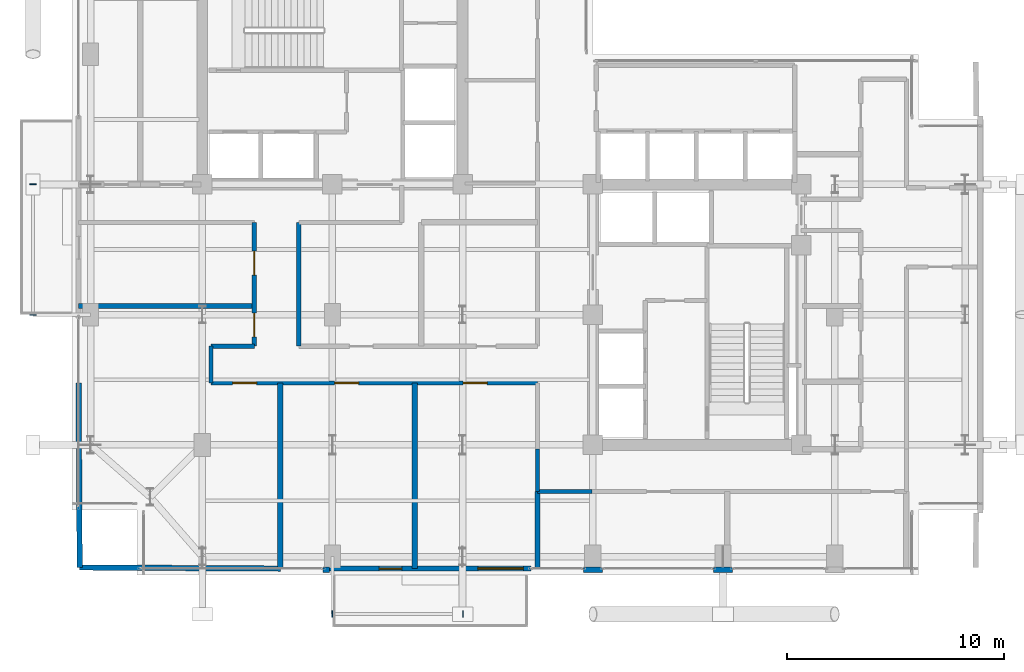
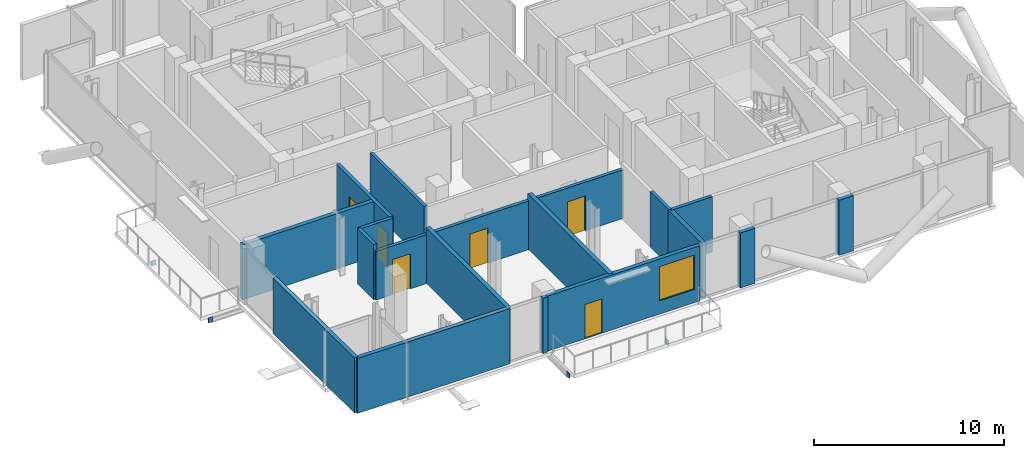
# One storey, part 16 of 21: 17 walls, 6 doors, 4 plates, 1 window, 7 openings.
"""IFC4 building model written with IfcOpenShell, lengths in metres."""

from ifc_helpers import new_model, si_unit, direction, frame, frame_2d, origin, origin_2d, place, context, subcontext, project, spatial, rectangle, extrude, material, layer, layer_set, type_object, element, fill, save


model = new_model("IFC4")

# Units and contexts
model_context = context("Model", 3, precision=1e-05, world=origin(), true_north=direction((0.0, 1.0)))
body_context = subcontext(model_context, "Body", "Model", "MODEL_VIEW")
ifc_project = project(units=[si_unit("LENGTHUNIT", "METRE"), si_unit("AREAUNIT", "SQUARE_METRE"), si_unit("VOLUMEUNIT", "CUBIC_METRE"), si_unit("PLANEANGLEUNIT", "RADIAN"), si_unit("MASSUNIT", "GRAM", prefix="KILO"), si_unit("THERMODYNAMICTEMPERATUREUNIT", "KELVIN"), si_unit("POWERUNIT", "WATT")], contexts=[model_context])

# Site, building, storey
site_placement = place(None, origin())
site = spatial("IfcSite", under=ifc_project, at=site_placement, CompositionType="ELEMENT")
building_placement = place(site_placement, origin())
building = spatial("IfcBuilding", under=site, at=building_placement, Name="Svarakhadi Broadcast Tower", CompositionType="ELEMENT")
storey_placement = place(building_placement, frame((0.0, 0.0, 187.949951171875)))
storey = spatial("IfcBuildingStorey", under=building, at=storey_placement, Name="L46", CompositionType="ELEMENT", Elevation=187.949951171875)

# Plates
ifc_material_1 = material(Name="Steel S460ML (IS 2062 E450BR)", Category="steel")
ifc_layer_1 = layer(ifc_material_1, 0.028076171875)
ifc_layer_set_1 = layer_set([ifc_layer_1], Name="Steel S460ML (IS 2062 E450BR)")
plate_type = type_object("IfcPlateType", Name="Cap_Plate_CP02", PredefinedType="USERDEFINED", material=ifc_layer_set_1)
for number, where, z_axis, x_axis, name in (
    (1, (11.985107421875, -1.800048828125, -0.5048828125), (0.0, 0.0, 1.0), (1.0, 0.0, 0.0), "L46 Balcony Spandrel End Cap Plate 1F-A"),
    (2, (18.014892578125, -1.800048828125, -0.5048828125), (0.0, 0.0, 1.0), (1.0, 0.0, 0.0), "L46 Balcony Spandrel End Cap Plate 1F-B"),
):
    element("IfcPlate", number, at=place(storey_placement, frame(where, z_axis=z_axis, x_axis=x_axis)), inside=storey, type_object=plate_type, Name=name, ObjectType="FLANGE_PLATE", PredefinedType="USERDEFINED", context=body_context, shape_type="SweptSolid", body=[
        extrude(rectangle(XDim=0.0400390625, YDim=0.300048828125, at=origin_2d()), origin(), (0.0, 0.0, 1.0), 0.31005859375),
    ])
for number, where, z_axis, x_axis, name in (
    (3, (-1.800048828125, 11.985107421875, -0.5048828125), (0.0, 0.0, 1.0), (1.0, 0.0, 0.0), "L46 Balcony Spandrel End Cap Plate 2F-A"),
    (4, (-1.800048828125, 18.014892578125, -0.5048828125), (0.0, 0.0, 1.0), (1.0, 0.0, 0.0), "L46 Balcony Spandrel End Cap Plate 2F-B"),
):
    element("IfcPlate", number, at=place(storey_placement, frame(where, z_axis=z_axis, x_axis=x_axis)), inside=storey, type_object=plate_type, Name=name, ObjectType="FLANGE_PLATE", PredefinedType="USERDEFINED", context=body_context, shape_type="SweptSolid", body=[
        extrude(rectangle(XDim=0.300048828125, YDim=0.0400390625, at=origin_2d()), origin(), (0.0, 0.0, 1.0), 0.31005859375),
    ])

# Walls
ifc_material_2 = material(Name="Double-Stud Acoustic Studio Partition STC-62", Category="gypsum")
ifc_layer_2 = layer(ifc_material_2, 0.25)
ifc_layer_set_2 = layer_set([ifc_layer_2], Name="Double-Stud Acoustic Studio Partition STC-62")
wall_type_1 = type_object("IfcWallType", Name="Wall_Acoust_250", PredefinedType="PARTITIONING", material=ifc_layer_set_2)
wall_1_placement = place(storey_placement, frame((21.449951171875, 0.300048828125, 0.0), z_axis=(0.0, 0.0, 1.0), x_axis=(0.0, 1.0, 0.0)))
element("IfcWall", 5, at=wall_1_placement, inside=storey, type_object=wall_type_1, Name="L46 Hotel Business Centre Office Wall", PredefinedType="PARTITIONING", context=body_context, shape_type="SweptSolid", body=[
    extrude(rectangle(XDim=3.550048828125, YDim=0.25, at=frame_2d((1.77490234375, 0.0))), origin(), (0.0, 0.0, 1.0), 3.5400390625),
])
wall_2_placement = place(storey_placement, frame((0.35009765625, 0.35009765625, 0.0), z_axis=(0.0, 0.0, 1.0), x_axis=(0.99998536257, -0.005410604923, 0.0)))
element("IfcWall", 6, at=wall_2_placement, inside=storey, type_object=wall_type_1, Name="L46 Grand Diplomatic Banquet Dining Hall Wall", PredefinedType="PARTITIONING", context=body_context, shape_type="SweptSolid", body=[
    extrude(rectangle(XDim=9.250244140625, YDim=0.25, at=frame_2d((4.625, 0.0))), origin(), (0.0, 0.0, 1.0), 3.5400390625),
])
wall_3_placement = place(storey_placement, frame((0.35009765625, 0.35009765625, 0.0), z_axis=(0.0, 0.0, 1.0), x_axis=(-0.00588799536, 0.999982665605, 0.0)))
element("IfcWall", 7, at=wall_3_placement, inside=storey, type_object=wall_type_1, Name="L46 Grand Diplomatic Banquet Dining Hall Wall", PredefinedType="PARTITIONING", context=body_context, shape_type="SweptSolid", body=[
    extrude(rectangle(XDim=8.500244140625, YDim=0.25, at=frame_2d((4.25, 0.0))), origin(), (0.0, 0.0, 1.0), 3.5400390625),
])
for number, where, z_axis, x_axis, name in (
    (8, (9.60009765625, 0.300048828125, 0.0), (0.0, 0.0, 1.0), (0.0, 1.0, 0.0), "L46 Grand Diplomatic Banquet Dining Hall Wall"),
    (9, (15.800048828125, 0.300048828125, 0.0), (0.0, 0.0, 1.0), (0.0, 1.0, 0.0), "L46 Hotel Diplomatic Boardroom Wall"),
):
    element("IfcWall", number, at=place(storey_placement, frame(where, z_axis=z_axis, x_axis=x_axis)), inside=storey, type_object=wall_type_1, Name=name, PredefinedType="PARTITIONING", context=body_context, shape_type="SweptSolid", body=[
        extrude(rectangle(XDim=8.550048828125, YDim=0.25, at=frame_2d((4.27490234375, 0.0))), origin(), (0.0, 0.0, 1.0), 3.5400390625),
    ])
wall_4_placement = place(storey_placement, frame((0.300048828125, 12.39990234375, 0.0), z_axis=(0.0, 0.0, 1.0), x_axis=(1.0, 0.0, 0.0)))
element("IfcWall", 10, at=wall_4_placement, inside=storey, type_object=wall_type_1, Name="L46 Club Floor Pantry Kitchen Wall", PredefinedType="PARTITIONING", context=body_context, shape_type="SweptSolid", body=[
    extrude(rectangle(XDim=8.099853515625, YDim=0.25, at=frame_2d((4.0498046875, 0.0))), origin(), (0.0, 0.0, 1.0), 3.5400390625),
])

# Wall, openings, door, window
ifc_material_3 = material(Name="Concrete C40/50 (IS 456 M50)", Category="concrete")
ifc_layer_3 = layer(ifc_material_3, 0.239990234375)
ifc_layer_set_3 = layer_set([ifc_layer_3], Name="Concrete C40/50 (IS 456 M50)")
wall_type_2 = type_object("IfcWallType", Name="Wall_Ext_240", PredefinedType="SOLIDWALL", material=ifc_layer_set_3)
wall_5_placement = place(storey_placement, frame((21.14501953125, 0.300048828125, 0.0), z_axis=(0.0, 0.0, 1.0), x_axis=(-1.0, 0.0, 0.0)))
wall_5 = element("IfcWall", 11, at=wall_5_placement, inside=storey, type_object=wall_type_2, Name="L46 South Tree Balcony Spandrel Wall", PredefinedType="SOLIDWALL", context=body_context, shape_type="SweptSolid", body=[
    extrude(rectangle(XDim=9.2900390625, YDim=0.239990234375, at=frame_2d((4.64501953125, 0.0))), origin(), (0.0, 0.0, 1.0), 3.5400390625),
])
opening_1_placement = place(wall_5_placement, frame((5.949951171875, 0.0, 0.0)))
opening_1 = element("IfcOpeningElement", 12, at=opening_1_placement, cuts=wall_5, Name="Opening ED-06", PredefinedType="OPENING", context=body_context, shape_type="SweptSolid", body=[
    extrude(rectangle(XDim=1.050048828125, YDim=2.199951171875, at=frame_2d((0.52490234375, 1.10009765625))), frame((0.0, 0.1298828125, 0.0), z_axis=(0.0, -1.0, 0.0), x_axis=(1.0, 0.0, 0.0)), (0.0, 0.0, 1.0), 0.260009765625),
])
opening_2_placement = place(wall_5_placement, frame((0.35009765625, 0.0, 0.85009765625)))
opening_2 = element("IfcOpeningElement", 13, at=opening_2_placement, cuts=wall_5, Name="Opening WN-06", PredefinedType="OPENING", context=body_context, shape_type="SweptSolid", body=[
    extrude(rectangle(XDim=2.10009765625, YDim=2.199951171875, at=frame_2d((1.050048828125, 1.10009765625))), frame((0.0, 0.1298828125, 0.0), z_axis=(0.0, -1.0, 0.0), x_axis=(1.0, 0.0, 0.0)), (0.0, 0.0, 1.0), 0.260009765625),
])
ifc_material_4 = material(Name="Anodised Bronze Aluminium AA 6063-T6", Category="aluminium")
door_type_1 = type_object("IfcDoorType", Name="Door_Ext_ED06", OperationType="SINGLE_SWING_RIGHT", PredefinedType="DOOR", material=ifc_material_4)
door_1_placement = place(opening_1_placement, origin())
door_1 = element("IfcDoor", 14, at=door_1_placement, inside=storey, type_object=door_type_1, Name="L46 South Tree Balcony Door", OperationType="SINGLE_SWING_RIGHT", OverallHeight=2.199951171875, OverallWidth=1.050048828125, PredefinedType="DOOR", context=body_context, shape_type="SweptSolid", body=[
    extrude(rectangle(XDim=1.050048828125, YDim=2.199951171875, at=frame_2d((0.52490234375, 1.10009765625))), frame((0.0, 0.02490234375, 0.0), z_axis=(0.0, -1.0, 0.0), x_axis=(1.0, 0.0, 0.0)), (0.0, 0.0, 1.0), 0.050048828125),
])
fill(opening_1, door_1)
ifc_material_5 = material(Name="Double Low-E Laminated Acoustic Glass IGU 36 mm", Category="glass")
window_type = type_object("IfcWindowType", Name="Win_Hotel_WN06", PartitioningType="SINGLE_PANEL", PredefinedType="WINDOW", material=ifc_material_5)
window_placement = place(opening_2_placement, origin())
window = element("IfcWindow", 15, at=window_placement, inside=storey, type_object=window_type, Name="L46 South Tree Balcony Window", OverallHeight=2.199951171875, OverallWidth=2.10009765625, PartitioningType="SINGLE_PANEL", PredefinedType="WINDOW", context=body_context, shape_type="SweptSolid", body=[
    extrude(rectangle(XDim=2.10009765625, YDim=2.199951171875, at=frame_2d((1.050048828125, 1.10009765625))), frame((0.0, 0.030029296875, 0.0), z_axis=(0.0, -1.0, 0.0), x_axis=(1.0, 0.0, 0.0)), (0.0, 0.0, 1.0), 0.06005859375),
])
fill(opening_2, window)

# Walls
for number, where, z_axis, x_axis, name in (
    (16, (30.43994140625, 0.239990234375, 0.0), (0.0, 0.0, 1.0), (-1.0, 0.0, 0.0), "L46 Perimeter Bronze Spandrel Closure Wall 04"),
    (17, (24.43994140625, 0.239990234375, 0.0), (0.0, 0.0, 1.0), (-1.0, 0.0, 0.0), "L46 Perimeter Bronze Spandrel Closure Wall 05"),
):
    element("IfcWall", number, at=place(storey_placement, frame(where, z_axis=z_axis, x_axis=x_axis)), inside=storey, type_object=wall_type_2, Name=name, PredefinedType="SOLIDWALL", context=body_context, shape_type="SweptSolid", body=[
        extrude(rectangle(XDim=0.8798828125, YDim=0.239990234375, at=frame_2d((0.43994140625, 0.0))), origin(), (0.0, 0.0, 1.0), 3.5400390625),
    ])
wall_6_placement = place(storey_placement, frame((11.85498046875, 0.239990234375, 0.0), z_axis=(0.0, 0.0, 1.0), x_axis=(-1.0, 0.0, 0.0)))
element("IfcWall", 18, at=wall_6_placement, inside=storey, type_object=wall_type_2, Name="L46 Perimeter Bronze Spandrel Closure Wall 06", PredefinedType="SOLIDWALL", context=body_context, shape_type="SweptSolid", body=[
    extrude(rectangle(XDim=0.294921875, YDim=0.239990234375, at=frame_2d((0.1474609375, 0.0))), origin(), (0.0, 0.0, 1.0), 3.5400390625),
])
ifc_layer_4 = layer(ifc_material_3, 0.199951171875)
ifc_layer_set_4 = layer_set([ifc_layer_4], Name="Concrete C40/50 (IS 456 M50)")
wall_type_3 = type_object("IfcWallType", Name="Wall_Fire_200", PredefinedType="SOLIDWALL", material=ifc_layer_set_4)
wall_7_placement = place(storey_placement, frame((23.949951171875, 3.85009765625, 0.0), z_axis=(0.0, 0.0, 1.0), x_axis=(-1.0, 0.0, 0.0)))
element("IfcWall", 19, at=wall_7_placement, inside=storey, type_object=wall_type_3, Name="L46 Zone 2/3 Corridor Wall", PredefinedType="SOLIDWALL", context=body_context, shape_type="SweptSolid", body=[
    extrude(rectangle(XDim=2.5, YDim=0.199951171875, at=frame_2d((1.25, 0.0))), origin(), (0.0, 0.0, 1.0), 3.5400390625),
])
wall_8_placement = place(storey_placement, frame((21.449951171875, 3.85009765625, 0.0), z_axis=(0.0, 0.0, 1.0), x_axis=(0.0, 1.0, 0.0)))
element("IfcWall", 20, at=wall_8_placement, inside=storey, type_object=wall_type_3, Name="L46 Zone 2/3 Corridor Wall", PredefinedType="SOLIDWALL", context=body_context, shape_type="SweptSolid", body=[
    extrude(rectangle(XDim=1.949951171875, YDim=0.199951171875, at=frame_2d((0.97509765625, 0.0))), origin(), (0.0, 0.0, 1.0), 3.5400390625),
])

# Wall, openings, doors
wall_9_placement = place(storey_placement, frame((21.449951171875, 8.85009765625, 0.0), z_axis=(0.0, 0.0, 1.0), x_axis=(-1.0, 0.0, 0.0)))
wall_9 = element("IfcWall", 21, at=wall_9_placement, inside=storey, type_object=wall_type_3, Name="L46 Zone 2/3 Corridor Wall", PredefinedType="SOLIDWALL", context=body_context, shape_type="SweptSolid", body=[
    extrude(rectangle(XDim=15.050048828125, YDim=0.199951171875, at=frame_2d((7.52490234375, 0.0))), origin(), (0.0, 0.0, 1.0), 3.132080078125),
])
opening_3_placement = place(wall_9_placement, frame((12.949951171875, 0.0, 0.0)))
opening_3 = element("IfcOpeningElement", 22, at=opening_3_placement, cuts=wall_9, Name="Opening D-10", PredefinedType="OPENING", context=body_context, shape_type="SweptSolid", body=[
    extrude(rectangle(XDim=1.10009765625, YDim=2.25, at=frame_2d((0.550048828125, 1.125))), frame((0.0, 0.10986328125, 0.0), z_axis=(0.0, -1.0, 0.0), x_axis=(1.0, 0.0, 0.0)), (0.0, 0.0, 1.0), 0.219970703125),
])
opening_4_placement = place(wall_9_placement, frame((8.25, 0.0, 0.0)))
opening_4 = element("IfcOpeningElement", 23, at=opening_4_placement, cuts=wall_9, Name="Opening D-11", PredefinedType="OPENING", context=body_context, shape_type="SweptSolid", body=[
    extrude(rectangle(XDim=1.10009765625, YDim=2.25, at=frame_2d((0.550048828125, 1.125))), frame((0.0, 0.10986328125, 0.0), z_axis=(0.0, -1.0, 0.0), x_axis=(1.0, 0.0, 0.0)), (0.0, 0.0, 1.0), 0.219970703125),
])
opening_5_placement = place(wall_9_placement, frame((2.324951171875, 0.0, 0.0)))
opening_5 = element("IfcOpeningElement", 24, at=opening_5_placement, cuts=wall_9, Name="Opening D-10", PredefinedType="OPENING", context=body_context, shape_type="SweptSolid", body=[
    extrude(rectangle(XDim=1.10009765625, YDim=2.25, at=frame_2d((0.550048828125, 1.125))), frame((0.0, 0.10986328125, 0.0), z_axis=(0.0, -1.0, 0.0), x_axis=(1.0, 0.0, 0.0)), (0.0, 0.0, 1.0), 0.219970703125),
])
ifc_material_6 = material(Name="Solid-Core Teak Veneer Acoustic Timber Leaf", Category="wood")
door_type_2 = type_object("IfcDoorType", Name="Door_Acoust_D10", OperationType="SINGLE_SWING_LEFT", PredefinedType="DOOR", material=ifc_material_6)
door_2_placement = place(opening_3_placement, origin())
door_2 = element("IfcDoor", 25, at=door_2_placement, inside=storey, type_object=door_type_2, Name="L46 Grand Diplomatic Banquet Dining Hall Door", OperationType="SINGLE_SWING_LEFT", OverallHeight=2.25, OverallWidth=1.10009765625, PredefinedType="DOOR", context=body_context, shape_type="SweptSolid", body=[
    extrude(rectangle(XDim=1.10009765625, YDim=2.25, at=frame_2d((0.550048828125, 1.125))), frame((0.0, 0.02490234375, 0.0), z_axis=(0.0, -1.0, 0.0), x_axis=(1.0, 0.0, 0.0)), (0.0, 0.0, 1.0), 0.050048828125),
])
fill(opening_3, door_2)
door_3_placement = place(opening_5_placement, origin())
door_3 = element("IfcDoor", 26, at=door_3_placement, inside=storey, type_object=door_type_2, Name="L46 Banquet Culinary Kitchen Door", OperationType="SINGLE_SWING_LEFT", OverallHeight=2.25, OverallWidth=1.10009765625, PredefinedType="DOOR", context=body_context, shape_type="SweptSolid", body=[
    extrude(rectangle(XDim=1.10009765625, YDim=2.25, at=frame_2d((0.550048828125, 1.125))), frame((0.0, 0.02490234375, 0.0), z_axis=(0.0, -1.0, 0.0), x_axis=(1.0, 0.0, 0.0)), (0.0, 0.0, 1.0), 0.050048828125),
])
fill(opening_5, door_3)
door_type_3 = type_object("IfcDoorType", Name="Door_Acoust_D11", OperationType="SINGLE_SWING_RIGHT", PredefinedType="DOOR", material=ifc_material_6)
door_4_placement = place(opening_4_placement, origin())
door_4 = element("IfcDoor", 27, at=door_4_placement, inside=storey, type_object=door_type_3, Name="L46 Hotel Diplomatic Boardroom Door", OperationType="SINGLE_SWING_RIGHT", OverallHeight=2.25, OverallWidth=1.10009765625, PredefinedType="DOOR", context=body_context, shape_type="SweptSolid", body=[
    extrude(rectangle(XDim=1.10009765625, YDim=2.25, at=frame_2d((0.550048828125, 1.125))), frame((0.0, 0.02490234375, 0.0), z_axis=(0.0, -1.0, 0.0), x_axis=(1.0, 0.0, 0.0)), (0.0, 0.0, 1.0), 0.050048828125),
])
fill(opening_4, door_4)

# Walls
wall_10_placement = place(storey_placement, frame((6.39990234375, 8.85009765625, 0.0), z_axis=(0.0, 0.0, 1.0), x_axis=(0.0, 1.0, 0.0)))
element("IfcWall", 28, at=wall_10_placement, inside=storey, type_object=wall_type_3, Name="L46 Zone 2/3 Corridor Wall", PredefinedType="SOLIDWALL", context=body_context, shape_type="SweptSolid", body=[
    extrude(rectangle(XDim=1.699951171875, YDim=0.199951171875, at=frame_2d((0.85009765625, 0.0))), origin(), (0.0, 0.0, 1.0), 3.5400390625),
])
wall_11_placement = place(storey_placement, frame((6.39990234375, 10.550048828125, 0.0), z_axis=(0.0, 0.0, 1.0), x_axis=(1.0, 0.0, 0.0)))
element("IfcWall", 29, at=wall_11_placement, inside=storey, type_object=wall_type_3, Name="L46 Zone 2/3 Corridor Wall", PredefinedType="SOLIDWALL", context=body_context, shape_type="SweptSolid", body=[
    extrude(rectangle(XDim=2.0, YDim=0.199951171875, at=frame_2d((1.0, 0.0))), origin(), (0.0, 0.0, 1.0), 3.5400390625),
])

# Wall, openings, doors
wall_12_placement = place(storey_placement, frame((8.39990234375, 10.550048828125, 0.0), z_axis=(0.0, 0.0, 1.0), x_axis=(0.0, 1.0, 0.0)))
wall_12 = element("IfcWall", 30, at=wall_12_placement, inside=storey, type_object=wall_type_3, Name="L46 Zone 2/3 Corridor Wall", PredefinedType="SOLIDWALL", context=body_context, shape_type="SweptSolid", body=[
    extrude(rectangle(XDim=5.699951171875, YDim=0.199951171875, at=frame_2d((2.85009765625, 0.0))), origin(), (0.0, 0.0, 1.0), 3.5400390625),
])
opening_6_placement = place(wall_12_placement, frame((0.425048828125, 0.0, 0.0)))
opening_6 = element("IfcOpeningElement", 31, at=opening_6_placement, cuts=wall_12, Name="Opening D-11", PredefinedType="OPENING", context=body_context, shape_type="SweptSolid", body=[
    extrude(rectangle(XDim=1.10009765625, YDim=2.25, at=frame_2d((0.550048828125, 1.125))), frame((0.0, 0.10986328125, 0.0), z_axis=(0.0, -1.0, 0.0), x_axis=(1.0, 0.0, 0.0)), (0.0, 0.0, 1.0), 0.219970703125),
])
opening_7_placement = place(wall_12_placement, frame((3.27490234375, 0.0, 0.0)))
opening_7 = element("IfcOpeningElement", 32, at=opening_7_placement, cuts=wall_12, Name="Opening D-10", PredefinedType="OPENING", context=body_context, shape_type="SweptSolid", body=[
    extrude(rectangle(XDim=1.10009765625, YDim=2.25, at=frame_2d((0.550048828125, 1.125))), frame((0.0, 0.10986328125, 0.0), z_axis=(0.0, -1.0, 0.0), x_axis=(1.0, 0.0, 0.0)), (0.0, 0.0, 1.0), 0.219970703125),
])
door_5_placement = place(opening_7_placement, origin())
door_5 = element("IfcDoor", 33, at=door_5_placement, inside=storey, type_object=door_type_2, Name="L46 VIP Cigar and Reading Lounge Door", OperationType="SINGLE_SWING_LEFT", OverallHeight=2.25, OverallWidth=1.10009765625, PredefinedType="DOOR", context=body_context, shape_type="SweptSolid", body=[
    extrude(rectangle(XDim=1.10009765625, YDim=2.25, at=frame_2d((0.550048828125, 1.125))), frame((0.0, 0.02490234375, 0.0), z_axis=(0.0, -1.0, 0.0), x_axis=(1.0, 0.0, 0.0)), (0.0, 0.0, 1.0), 0.050048828125),
])
fill(opening_7, door_5)
door_6_placement = place(opening_6_placement, origin())
door_6 = element("IfcDoor", 34, at=door_6_placement, inside=storey, type_object=door_type_3, Name="L46 Club Floor Pantry Kitchen Door", OperationType="SINGLE_SWING_RIGHT", OverallHeight=2.25, OverallWidth=1.10009765625, PredefinedType="DOOR", context=body_context, shape_type="SweptSolid", body=[
    extrude(rectangle(XDim=1.10009765625, YDim=2.25, at=frame_2d((0.550048828125, 1.125))), frame((0.0, 0.02490234375, 0.0), z_axis=(0.0, -1.0, 0.0), x_axis=(1.0, 0.0, 0.0)), (0.0, 0.0, 1.0), 0.050048828125),
])
fill(opening_6, door_6)

# Wall
wall_13_placement = place(storey_placement, frame((10.449951171875, 16.25, 0.0), z_axis=(0.0, 0.0, 1.0), x_axis=(0.0, -1.0, 0.0)))
element("IfcWall", 35, at=wall_13_placement, inside=storey, type_object=wall_type_3, Name="L46 Zone 2/3 Corridor Wall", PredefinedType="SOLIDWALL", context=body_context, shape_type="SweptSolid", body=[
    extrude(rectangle(XDim=5.699951171875, YDim=0.199951171875, at=frame_2d((2.85009765625, 0.0))), origin(), (0.0, 0.0, 1.0), 3.5400390625),
])

save(model, "model.ifc")
